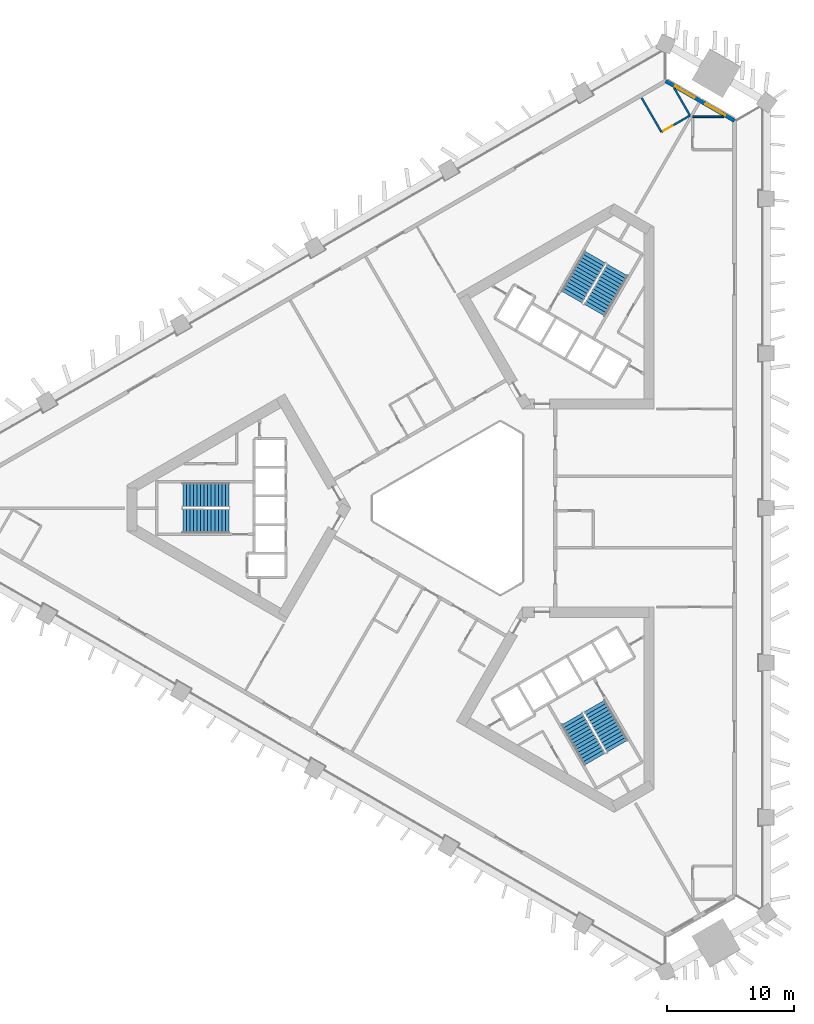
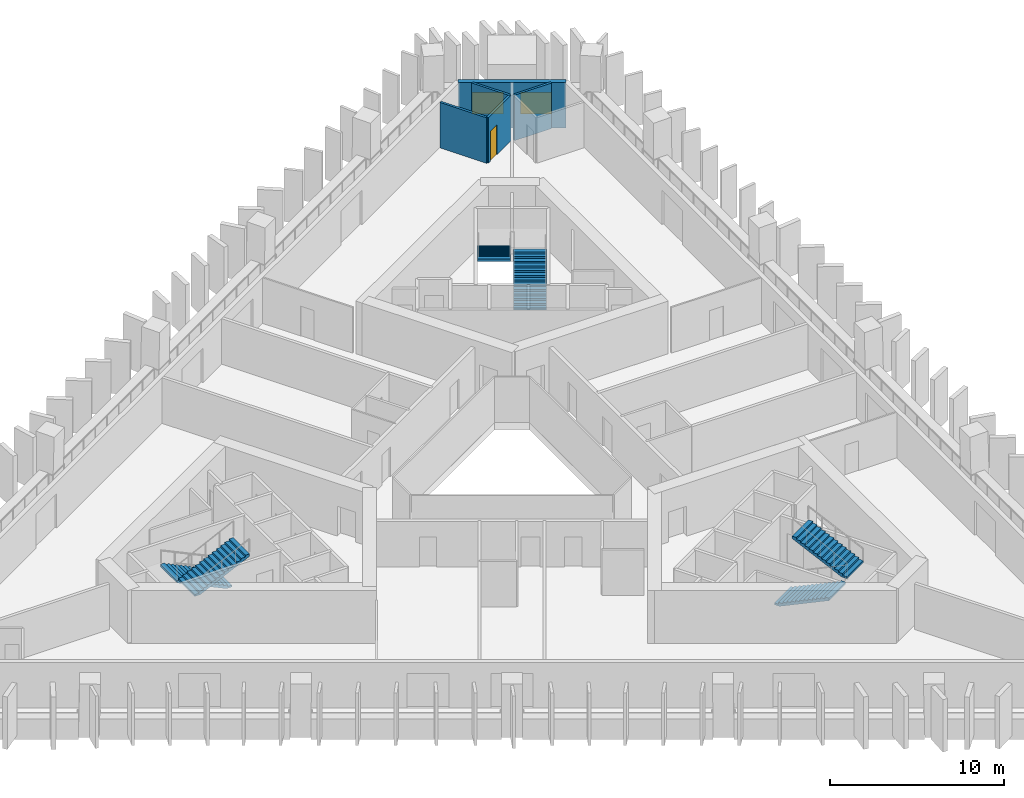
# One storey, part 6 of 10: 6 stair flights, 5 walls, 2 windows, 1 door, 3 openings, 3 elements without a shape of their own.
"""IFC4 building model written with IfcOpenShell, lengths in metres."""

import ifcopenshell
import ifcopenshell.guid

model = None  # the IFC model being written
_history = None  # IfcOwnerHistory: only IFC2X3 demands one
_inside = {}  # id of a spatial element -> (the spatial element, [elements in it])
_under = {}  # id of a project, library or spatial element -> (it, [spatial elements below it])
_declared = {}  # id of a project -> (the project, [libraries it declares])
_typed = {}  # id of a type object -> (the type object, [elements of that type])
_made_of = {}  # id of a material, layer set ... -> (it, [elements and type objects made of it])


def new_model(schema):
    """Start an empty IFC model of exactly this schema.

    Asked for "IFC4X3", IfcOpenShell would pick the latest addendum, in which some entities
    have other attributes; the version numbers below select the first issue.
    IFC2X3 requires an IfcOwnerHistory on every rooted entity: one is made here for all.
    """
    global model, _history
    if schema == "IFC4X3":
        model = ifcopenshell.file(schema_version=(4, 3, 0, 0))
    else:
        model = ifcopenshell.file(schema=schema)
    _inside.clear()
    _under.clear()
    _declared.clear()
    _typed.clear()
    _made_of.clear()
    _history = None
    if model.schema == "IFC2X3":
        org = make("IfcOrganization", Name="unknown")
        user = make(
            "IfcPersonAndOrganization",
            ThePerson=make("IfcPerson", FamilyName="unknown"),
            TheOrganization=org,
        )
        app = make(
            "IfcApplication",
            ApplicationDeveloper=org,
            Version="unknown",
            ApplicationFullName="unknown",
            ApplicationIdentifier="unknown",
        )
        _history = make(
            "IfcOwnerHistory",
            OwningUser=user,
            OwningApplication=app,
            ChangeAction="ADDED",
            CreationDate=0,
        )
    return model


def make(cls, **values):
    """One entity of the class cls with the attributes given. An attribute that is None is left unset."""
    return model.create_entity(
        cls, **{name: value for name, value in values.items() if value is not None}
    )


def rooted(cls, **values):
    """An entity with a GlobalId (a new one), such as an element, a storey or a relation."""
    return make(cls, GlobalId=ifcopenshell.guid.new(), OwnerHistory=_history, **values)


def si_unit(unit_type, name, prefix=None):
    """IfcSIUnit, for example si_unit("LENGTHUNIT", "METRE", prefix="MILLI")."""
    return make("IfcSIUnit", UnitType=unit_type, Prefix=prefix, Name=name)


def assignment(units):
    """IfcUnitAssignment: the units of a project."""
    return None if units is None else make("IfcUnitAssignment", Units=units)


def point(xyz):
    """IfcCartesianPoint."""
    return None if xyz is None else make("IfcCartesianPoint", Coordinates=xyz)


def direction(xyz):
    """IfcDirection."""
    return None if xyz is None else make("IfcDirection", DirectionRatios=xyz)


def frame(location, z_axis=None, x_axis=None):
    """IfcAxis2Placement3D, a coordinate frame: its origin and axes. An axis left out is left unset."""
    return make(
        "IfcAxis2Placement3D",
        Location=point(location),
        Axis=direction(z_axis),
        RefDirection=direction(x_axis),
    )


def frame_2d(location, x_axis=None):
    """IfcAxis2Placement2D, a coordinate frame in the plane: its origin and x axis."""
    return make(
        "IfcAxis2Placement2D", Location=point(location), RefDirection=direction(x_axis)
    )


def origin():
    """The frame at (0, 0, 0) with its axes left unset."""
    return frame((0.0, 0.0, 0.0))


def place(relative_to, where):
    """IfcLocalPlacement: puts the frame where relative to a parent placement (None: the world)."""
    return make(
        "IfcLocalPlacement", PlacementRelTo=relative_to, RelativePlacement=where
    )


def context(
    kind, dimensions, precision=None, world=None, true_north=None, identifier=None
):
    """IfcGeometricRepresentationContext, for example the 3D "Model" context."""
    return make(
        "IfcGeometricRepresentationContext",
        ContextIdentifier=identifier,
        ContextType=kind,
        CoordinateSpaceDimension=dimensions,
        Precision=precision,
        WorldCoordinateSystem=world,
        TrueNorth=true_north,
    )


def subcontext(parent, identifier, kind, view, scale=None):
    """IfcGeometricRepresentationSubContext, for example "Body" below "Model"."""
    return make(
        "IfcGeometricRepresentationSubContext",
        ContextIdentifier=identifier,
        ContextType=kind,
        ParentContext=parent,
        TargetScale=scale,
        TargetView=view,
    )


def project(units=None, contexts=None):
    """IfcProject with its units and contexts."""
    return rooted(
        "IfcProject",
        Name="project",
        RepresentationContexts=contexts,
        UnitsInContext=assignment(units),
    )


def spatial(cls, under=None, at=None, **own):
    """A site, building, storey or space (cls), placed at a placement, below another one or the project."""
    s = rooted(cls, ObjectPlacement=at, **own)
    if under is not None:
        _under.setdefault(under.id(), (under, []))[1].append(s)
    return s


def polyline(points):
    """IfcPolyline through the points."""
    return make("IfcPolyline", Points=[point(p) for p in points])


def profile(cls, at=None, kind="AREA", **sizes):
    """A parametric profile (cls). Its sizes go by their IFC names, for example OverallWidth=200.0."""
    return make(cls, ProfileType=kind, Position=at, **sizes)


def rectangle(**sizes):
    """IfcRectangleProfileDef."""
    return profile("IfcRectangleProfileDef", **sizes)


def outline(outer, holes=None, kind="AREA"):
    """IfcArbitraryClosedProfileDef: a profile drawn as a closed curve; with holes, ...WithVoids."""
    if holes is None:
        return make("IfcArbitraryClosedProfileDef", ProfileType=kind, OuterCurve=outer)
    return make(
        "IfcArbitraryProfileDefWithVoids",
        ProfileType=kind,
        OuterCurve=outer,
        InnerCurves=holes,
    )


def extrude(swept, where, along, depth):
    """IfcExtrudedAreaSolid: the profile swept, set in the frame where, extruded along a direction by depth."""
    return make(
        "IfcExtrudedAreaSolid",
        SweptArea=swept,
        Position=where,
        ExtrudedDirection=direction(along),
        Depth=depth,
    )


def shape(context_of_items, identifier, shape_type, items):
    """IfcShapeRepresentation: the items that make up one representation, for example the "Body"."""
    return make(
        "IfcShapeRepresentation",
        ContextOfItems=context_of_items,
        RepresentationIdentifier=identifier,
        RepresentationType=shape_type,
        Items=items,
    )


def material(Name=None, Category=None):
    """IfcMaterial."""
    return make("IfcMaterial", Name=Name, Category=Category)


def layer(
    of_material, thickness, ventilated=None, Name=None, Category=None, Priority=None
):
    """IfcMaterialLayer: one layer of a wall or slab, of a material (None: an air gap)."""
    return make(
        "IfcMaterialLayer",
        Material=of_material,
        LayerThickness=thickness,
        IsVentilated=ventilated,
        Name=Name,
        Category=Category,
        Priority=Priority,
    )


def layer_set(layers, Name=None):
    """IfcMaterialLayerSet."""
    return make("IfcMaterialLayerSet", MaterialLayers=layers, LayerSetName=Name)


def made_of(thing, what):
    """Note that an element or type object is made of a material, layer set ...; save() writes the relation."""
    if what is not None:
        _made_of.setdefault(what.id(), (what, []))[1].append(thing)
    return thing


def type_object(cls, material=None, **own):
    """A type object (cls), such as IfcWallType, which elements share."""
    return made_of(rooted(cls, **own), material)


def element(
    cls,
    number,
    at=None,
    inside=None,
    cuts=None,
    type_object=None,
    material=None,
    context=None,
    identifier="Body",
    shape_type=None,
    held_by="IfcProductDefinitionShape",
    body=None,
    shapes=None,
    **own,
):
    """One element of the class cls, such as IfcWall. Its Tag is "e" and its number.

    at: its placement. inside: the storey or other place that contains it. cuts: it is an
    opening in that element (IfcRelVoidsElement). A single representation is given by context,
    identifier, shape_type and body (its items); several are given by shapes. held_by: the class
    of the entity that holds the representations. save() writes the other relations.
    """
    e = rooted(cls, Tag="e%d" % number, ObjectPlacement=at, **own)
    if body is not None:
        shapes = [shape(context, identifier, shape_type, body)]
    if shapes is not None:
        e.Representation = make(held_by, Representations=shapes)
    if inside is not None:
        _inside.setdefault(inside.id(), (inside, []))[1].append(e)
    if cuts is not None:
        rooted(
            "IfcRelVoidsElement", RelatingBuildingElement=cuts, RelatedOpeningElement=e
        )
    if type_object is not None:
        _typed.setdefault(type_object.id(), (type_object, []))[1].append(e)
    return made_of(e, material)


def fill(opening, filler):
    """IfcRelFillsElement: the door or window that sits in an opening."""
    return rooted(
        "IfcRelFillsElement",
        RelatingOpeningElement=opening,
        RelatedBuildingElement=filler,
    )


def aggregate(whole, parts):
    """IfcRelAggregates: a whole, such as a stair, and the parts it consists of."""
    return rooted("IfcRelAggregates", RelatingObject=whole, RelatedObjects=parts)


def save(model, path):
    """Write the relations noted so far, then the file.

    IfcRelAggregates (storeys below a building ...), IfcRelContainedInSpatialStructure (elements
    in a storey), IfcRelDefinesByType, IfcRelAssociatesMaterial and IfcRelDeclares: one each for
    every whole, place, type object, material and project.
    """
    for whole, parts in _under.values():
        aggregate(whole, parts)
    for where, things in _inside.values():
        rooted(
            "IfcRelContainedInSpatialStructure",
            RelatedElements=things,
            RelatingStructure=where,
        )
    for kind, things in _typed.values():
        rooted("IfcRelDefinesByType", RelatedObjects=things, RelatingType=kind)
    for what, things in _made_of.values():
        rooted("IfcRelAssociatesMaterial", RelatedObjects=things, RelatingMaterial=what)
    for by, libraries in _declared.values():
        rooted("IfcRelDeclares", RelatingContext=by, RelatedDefinitions=libraries)
    model.write(path)


model = new_model("IFC4")

# Units and contexts
model_context = context("Model", 3, precision=1e-05, world=origin(), true_north=direction((0.0, 1.0)))
body_context = subcontext(model_context, "Body", "Model", "MODEL_VIEW")
ifc_project = project(units=[si_unit("LENGTHUNIT", "METRE"), si_unit("AREAUNIT", "SQUARE_METRE"), si_unit("VOLUMEUNIT", "CUBIC_METRE"), si_unit("PLANEANGLEUNIT", "RADIAN"), si_unit("MASSUNIT", "GRAM", prefix="KILO")], contexts=[model_context])

# Site, building, storey
site_placement = place(None, origin())
site = spatial("IfcSite", under=ifc_project, at=site_placement, CompositionType="ELEMENT")
building_placement = place(site_placement, origin())
building = spatial("IfcBuilding", under=site, at=building_placement, Name="Jabali Bay Hotel Tower and Convention Centre", CompositionType="ELEMENT")
storey_placement = place(building_placement, frame((0.0, 0.0, 44.800048828125)))
storey = spatial("IfcBuildingStorey", under=building, at=storey_placement, Name="L09", CompositionType="ELEMENT", Elevation=44.800048828125)

# Wall, openings, windows
ifc_material_1 = material(Name="Concrete C40", Category="concrete")
ifc_layer_1 = layer(ifc_material_1, 0.300048828125)
ifc_layer_set_1 = layer_set([ifc_layer_1], Name="Concrete C40")
wall_type_1 = type_object("IfcWallType", Name="External wall 300", PredefinedType="SOLIDWALL", material=ifc_layer_set_1)
wall_1_placement = place(storey_placement, frame((90.79833984375, 113.602294921875, 0.0), z_axis=(0.0, 0.0, 1.0), x_axis=(0.86602136159, -0.500007001221, 0.0)))
wall_1 = element("IfcWall", 1, at=wall_1_placement, inside=storey, type_object=wall_type_1, Name="External wall north-east chamfer L09", PredefinedType="SOLIDWALL", context=body_context, shape_type="SweptSolid", body=[
    extrude(rectangle(XDim=6.23876953125, YDim=0.300048828125, at=frame_2d((3.119384765625, 0.0))), origin(), (0.0, 0.0, 1.0), 3.199951171875),
])
opening_1_placement = place(wall_1_placement, frame((3.59814453125, 0.0, 0.89990234375)))
opening_1 = element("IfcOpeningElement", 2, at=opening_1_placement, cuts=wall_1, Name="Opening W1", PredefinedType="OPENING", context=body_context, shape_type="SweptSolid", body=[
    extrude(rectangle(XDim=1.800048828125, YDim=1.5, at=frame_2d((0.89990234375, 0.75))), frame((0.0, 0.16064453125, 0.0), z_axis=(0.0, -1.0, 0.0), x_axis=(1.0, 0.0, 0.0)), (0.0, 0.0, 1.0), 0.321044921875),
])
opening_2_placement = place(wall_1_placement, frame((0.818603515625, 0.0, 0.89990234375)))
opening_2 = element("IfcOpeningElement", 3, at=opening_2_placement, cuts=wall_1, Name="Opening W1", PredefinedType="OPENING", context=body_context, shape_type="SweptSolid", body=[
    extrude(rectangle(XDim=1.800048828125, YDim=1.5, at=frame_2d((0.89990234375, 0.75))), frame((0.0, 0.16064453125, 0.0), z_axis=(0.0, -1.0, 0.0), x_axis=(1.0, 0.0, 0.0)), (0.0, 0.0, 1.0), 0.321044921875),
])
ifc_material_2 = material(Name="Glass", Category="glass")
window_type = type_object("IfcWindowType", Name="Window 1800 x 1500", PartitioningType="SINGLE_PANEL", PredefinedType="WINDOW", material=ifc_material_2)
window_1_placement = place(opening_1_placement, origin())
window_1 = element("IfcWindow", 4, at=window_1_placement, inside=storey, type_object=window_type, Name="Window 903", OverallHeight=1.5, OverallWidth=1.800048828125, PartitioningType="SINGLE_PANEL", PredefinedType="WINDOW", context=body_context, shape_type="SweptSolid", body=[
    extrude(rectangle(XDim=1.800048828125, YDim=1.5, at=frame_2d((0.89990234375, 0.75))), frame((0.0, 0.030029296875, 0.0), z_axis=(0.0, -1.0, 0.0), x_axis=(1.0, 0.0, 0.0)), (0.0, 0.0, 1.0), 0.06005859375),
])
fill(opening_1, window_1)
window_2_placement = place(opening_2_placement, origin())
window_2 = element("IfcWindow", 5, at=window_2_placement, inside=storey, type_object=window_type, Name="Window 904", OverallHeight=1.5, OverallWidth=1.800048828125, PartitioningType="SINGLE_PANEL", PredefinedType="WINDOW", context=body_context, shape_type="SweptSolid", body=[
    extrude(rectangle(XDim=1.800048828125, YDim=1.5, at=frame_2d((0.89990234375, 0.75))), frame((0.0, 0.030029296875, 0.0), z_axis=(0.0, -1.0, 0.0), x_axis=(1.0, 0.0, 0.0)), (0.0, 0.0, 1.0), 0.06005859375),
])
fill(opening_2, window_2)

# Walls
ifc_material_3 = material(Name="Plasterboard on steel stud", Category="steel")
ifc_layer_2 = layer(ifc_material_3, 0.14990234375)
ifc_layer_set_2 = layer_set([ifc_layer_2], Name="Plasterboard on steel stud")
wall_type_2 = type_object("IfcWallType", Name="Partition 150 wet", PredefinedType="PARTITIONING", material=ifc_layer_set_2)
wall_2_placement = place(storey_placement, frame((92.901611328125, 110.794189453125, 0.0), z_axis=(0.0, 0.0, 1.0), x_axis=(1.0, 0.0, 0.0)))
element("IfcWall", 6, at=wall_2_placement, inside=storey, type_object=wall_type_2, Name="Partition P03 L09 014", PredefinedType="PARTITIONING", context=body_context, shape_type="SweptSolid", body=[
    extrude(rectangle(XDim=2.462158203125, YDim=0.14990234375, at=frame_2d((1.23095703125, 0.0))), origin(), (0.0, 0.0, 1.0), 3.199951171875),
])
wall_3_placement = place(storey_placement, frame((91.448974609375, 113.054443359375, 0.0), z_axis=(0.0, 0.0, 1.0), x_axis=(0.500004234368, -0.866022959057, 0.0)))
element("IfcWall", 7, at=wall_3_placement, inside=storey, type_object=wall_type_2, Name="Partition P03 L09 018", PredefinedType="PARTITIONING", context=body_context, shape_type="SweptSolid", body=[
    extrude(rectangle(XDim=2.5, YDim=0.14990234375, at=frame_2d((1.25, 0.0))), origin(), (0.0, 0.0, 1.0), 3.199951171875),
])

# Wall, opening, door
wall_4_placement = place(storey_placement, frame((92.698974609375, 110.889404296875, 0.0), z_axis=(0.0, 0.0, 1.0), x_axis=(-0.866021400173, -0.500006934395, 0.0)))
wall_4 = element("IfcWall", 8, at=wall_4_placement, inside=storey, type_object=wall_type_2, Name="Partition P03 L09 019", PredefinedType="PARTITIONING", context=body_context, shape_type="SweptSolid", body=[
    extrude(rectangle(XDim=2.60009765625, YDim=0.14990234375, at=frame_2d((1.300048828125, 0.0))), origin(), (0.0, 0.0, 1.0), 3.199951171875),
])
opening_3_placement = place(wall_4_placement, frame((1.60009765625, 0.0, 0.0)))
opening_3 = element("IfcOpeningElement", 9, at=opening_3_placement, cuts=wall_4, Name="Opening 0911", PredefinedType="OPENING", context=body_context, shape_type="SweptSolid", body=[
    extrude(rectangle(XDim=0.800048828125, YDim=2.10009765625, at=frame_2d((0.39990234375, 1.050048828125))), frame((0.0, 0.08544921875, 0.0), z_axis=(0.0, -1.0, 0.0), x_axis=(1.0, 0.0, 0.0)), (0.0, 0.0, 1.0), 0.1708984375),
])
ifc_material_4 = material(Name="Timber", Category="wood")
door_type = type_object("IfcDoorType", Name="En-suite door 800 x 2100", OperationType="NOTDEFINED", PredefinedType="NOTDEFINED", material=ifc_material_4)
door_placement = place(opening_3_placement, origin())
door = element("IfcDoor", 10, at=door_placement, inside=storey, type_object=door_type, Name="Door 0911", OperationType="SINGLE_SWING_RIGHT", OverallHeight=2.10009765625, OverallWidth=0.800048828125, PredefinedType="NOTDEFINED", context=body_context, shape_type="SweptSolid", body=[
    extrude(rectangle(XDim=0.800048828125, YDim=2.10009765625, at=frame_2d((0.39990234375, 1.050048828125))), frame((0.0, 0.02490234375, 0.0), z_axis=(0.0, -1.0, 0.0), x_axis=(1.0, 0.0, 0.0)), (0.0, 0.0, 1.0), 0.050048828125),
])
fill(opening_3, door)

# Wall
wall_5_placement = place(storey_placement, frame((90.447265625, 109.58935546875, 0.0), z_axis=(0.0, 0.0, 1.0), x_axis=(-0.500014671848, 0.866016932823, 0.0)))
element("IfcWall", 11, at=wall_5_placement, inside=storey, type_object=wall_type_2, Name="Partition P03 L09 020", PredefinedType="PARTITIONING", context=body_context, shape_type="SweptSolid", body=[
    extrude(rectangle(XDim=3.10986328125, YDim=0.14990234375, at=frame_2d((1.554931640625, 0.0))), origin(), (0.0, 0.0, 1.0), 3.199951171875),
])

# Stair, stair flights
stair_type = type_object("IfcStairType", Name="Exit stair 1900", PredefinedType="HALF_TURN_STAIR", material=ifc_material_1)
stair_1_placement = place(storey_placement, origin())
stair_1 = element("IfcStair", 12, at=stair_1_placement, inside=storey, type_object=stair_type, Name="L09 Exit Stair 1", PredefinedType="HALF_TURN_STAIR")
stair_flight_type = type_object("IfcStairFlightType", Name="Stair flight concrete 150", PredefinedType="STRAIGHT", material=ifc_material_1)
stair_flight_1_placement = place(storey_placement, frame((56.419921875, 81.02490234375, 0.0), z_axis=(0.0, 0.0, 1.0), x_axis=(-1.0, 0.0, 0.0)))
stair_flight_1 = element("IfcStairFlight", 13, at=stair_flight_1_placement, type_object=stair_flight_type, Name="ST1 flight 1", NumberOfRisers=14, NumberOfTreads=13, PredefinedType="STRAIGHT", RiserHeight=0.132142857, TreadLength=0.28, context=body_context, shape_type="SweptSolid", body=[
    extrude(outline(polyline([(0.0, 0.0), (0.0, 0.132080078125), (0.280029296875, 0.132080078125), (0.280029296875, 0.264404296875), (0.56005859375, 0.264404296875), (0.56005859375, 0.396484375), (0.840087890625, 0.396484375), (0.840087890625, 0.528564453125), (1.1201171875, 0.528564453125), (1.1201171875, 0.66064453125), (1.39990234375, 0.66064453125), (1.39990234375, 0.79296875), (1.679931640625, 0.79296875), (1.679931640625, 0.925048828125), (1.9599609375, 0.925048828125), (1.9599609375, 1.05712890625), (2.239990234375, 1.05712890625), (2.239990234375, 1.189208984375), (2.52001953125, 1.189208984375), (2.52001953125, 1.321533203125), (2.800048828125, 1.321533203125), (2.800048828125, 1.45361328125), (3.080078125, 1.45361328125), (3.080078125, 1.585693359375), (3.360107421875, 1.585693359375), (3.360107421875, 1.7177734375), (3.639892578125, 1.7177734375), (3.639892578125, 1.85009765625), (3.639892578125, 1.552001953125), (0.351318359375, 0.0), (0.0, 0.0)])), frame((0.0, 0.949951171875, 0.0), z_axis=(0.0, -1.0, 0.0), x_axis=(1.0, 0.0, 0.0)), (0.0, 0.0, 1.0), 1.89990234375),
])
stair_flight_2_placement = place(storey_placement, frame((52.780029296875, 78.97509765625, 1.849853515625), z_axis=(0.0, 0.0, 1.0), x_axis=(1.0, 0.0, 0.0)))
stair_flight_2 = element("IfcStairFlight", 14, at=stair_flight_2_placement, type_object=stair_flight_type, Name="ST1 flight 2", NumberOfRisers=14, NumberOfTreads=13, PredefinedType="STRAIGHT", RiserHeight=0.132142857, TreadLength=0.28, context=body_context, shape_type="SweptSolid", body=[
    extrude(outline(polyline([(0.0, 0.0), (0.0, 0.132080078125), (0.280029296875, 0.132080078125), (0.280029296875, 0.264404296875), (0.56005859375, 0.264404296875), (0.56005859375, 0.396484375), (0.840087890625, 0.396484375), (0.840087890625, 0.528564453125), (1.1201171875, 0.528564453125), (1.1201171875, 0.66064453125), (1.39990234375, 0.66064453125), (1.39990234375, 0.79296875), (1.679931640625, 0.79296875), (1.679931640625, 0.925048828125), (1.9599609375, 0.925048828125), (1.9599609375, 1.05712890625), (2.239990234375, 1.05712890625), (2.239990234375, 1.189208984375), (2.52001953125, 1.189208984375), (2.52001953125, 1.321533203125), (2.800048828125, 1.321533203125), (2.800048828125, 1.45361328125), (3.080078125, 1.45361328125), (3.080078125, 1.585693359375), (3.360107421875, 1.585693359375), (3.360107421875, 1.7177734375), (3.639892578125, 1.7177734375), (3.639892578125, 1.85009765625), (3.639892578125, 1.552001953125), (0.351318359375, 0.0), (0.0, 0.0)])), frame((0.0, 0.949951171875, 0.0), z_axis=(0.0, -1.0, 0.0), x_axis=(1.0, 0.0, 0.0)), (0.0, 0.0, 1.0), 1.89990234375),
])
aggregate(stair_1, [stair_flight_1, stair_flight_2])

stair_2_placement = place(storey_placement, origin())
stair_2 = element("IfcStair", 15, at=stair_2_placement, inside=storey, type_object=stair_type, Name="L09 Exit Stair 2", PredefinedType="HALF_TURN_STAIR")
stair_flight_3_placement = place(storey_placement, frame((85.177734375, 95.578369140625, 0.0), z_axis=(0.0, 0.0, 1.0), x_axis=(0.5, 0.866025403784, 0.0)))
stair_flight_3 = element("IfcStairFlight", 16, at=stair_flight_3_placement, type_object=stair_flight_type, Name="ST2 flight 1", NumberOfRisers=14, NumberOfTreads=13, PredefinedType="STRAIGHT", RiserHeight=0.132142857, TreadLength=0.28, context=body_context, shape_type="SweptSolid", body=[
    extrude(outline(polyline([(0.0, 0.0), (0.0, 0.132080078125), (0.280029296875, 0.132080078125), (0.280029296875, 0.264404296875), (0.56005859375, 0.264404296875), (0.56005859375, 0.396484375), (0.840087890625, 0.396484375), (0.840087890625, 0.528564453125), (1.1201171875, 0.528564453125), (1.1201171875, 0.66064453125), (1.39990234375, 0.66064453125), (1.39990234375, 0.79296875), (1.679931640625, 0.79296875), (1.679931640625, 0.925048828125), (1.9599609375, 0.925048828125), (1.9599609375, 1.05712890625), (2.239990234375, 1.05712890625), (2.239990234375, 1.189208984375), (2.52001953125, 1.189208984375), (2.52001953125, 1.321533203125), (2.800048828125, 1.321533203125), (2.800048828125, 1.45361328125), (3.080078125, 1.45361328125), (3.080078125, 1.585693359375), (3.360107421875, 1.585693359375), (3.360107421875, 1.7177734375), (3.639892578125, 1.7177734375), (3.639892578125, 1.85009765625), (3.639892578125, 1.552001953125), (0.351318359375, 0.0), (0.0, 0.0)])), frame((0.0, 0.949951171875, 0.0), z_axis=(0.0, -1.0, 0.0), x_axis=(1.0, 0.0, 0.0)), (0.0, 0.0, 1.0), 1.89990234375),
])
stair_flight_4_placement = place(storey_placement, frame((85.222412109375, 99.755615234375, 1.849853515625), z_axis=(0.0, 0.0, 1.0), x_axis=(-0.5, -0.866025403784, 0.0)))
stair_flight_4 = element("IfcStairFlight", 17, at=stair_flight_4_placement, type_object=stair_flight_type, Name="ST2 flight 2", NumberOfRisers=14, NumberOfTreads=13, PredefinedType="STRAIGHT", RiserHeight=0.132142857, TreadLength=0.28, context=body_context, shape_type="SweptSolid", body=[
    extrude(outline(polyline([(0.0, 0.0), (0.0, 0.132080078125), (0.280029296875, 0.132080078125), (0.280029296875, 0.264404296875), (0.56005859375, 0.264404296875), (0.56005859375, 0.396484375), (0.840087890625, 0.396484375), (0.840087890625, 0.528564453125), (1.1201171875, 0.528564453125), (1.1201171875, 0.66064453125), (1.39990234375, 0.66064453125), (1.39990234375, 0.79296875), (1.679931640625, 0.79296875), (1.679931640625, 0.925048828125), (1.9599609375, 0.925048828125), (1.9599609375, 1.05712890625), (2.239990234375, 1.05712890625), (2.239990234375, 1.189208984375), (2.52001953125, 1.189208984375), (2.52001953125, 1.321533203125), (2.800048828125, 1.321533203125), (2.800048828125, 1.45361328125), (3.080078125, 1.45361328125), (3.080078125, 1.585693359375), (3.360107421875, 1.585693359375), (3.360107421875, 1.7177734375), (3.639892578125, 1.7177734375), (3.639892578125, 1.85009765625), (3.639892578125, 1.552001953125), (0.351318359375, 0.0), (0.0, 0.0)])), frame((0.0, 0.949951171875, 0.0), z_axis=(0.0, -1.0, 0.0), x_axis=(1.0, 0.0, 0.0)), (0.0, 0.0, 1.0), 1.89990234375),
])
aggregate(stair_2, [stair_flight_3, stair_flight_4])

stair_3_placement = place(storey_placement, origin())
stair_3 = element("IfcStair", 18, at=stair_3_placement, inside=storey, type_object=stair_type, Name="L09 Exit Stair 3", PredefinedType="HALF_TURN_STAIR")
stair_flight_5_placement = place(storey_placement, frame((83.40234375, 63.396728515625, 0.0), z_axis=(0.0, 0.0, 1.0), x_axis=(0.5, -0.866025403784, 0.0)))
stair_flight_5 = element("IfcStairFlight", 19, at=stair_flight_5_placement, type_object=stair_flight_type, Name="ST3 flight 1", NumberOfRisers=14, NumberOfTreads=13, PredefinedType="STRAIGHT", RiserHeight=0.132142857, TreadLength=0.28, context=body_context, shape_type="SweptSolid", body=[
    extrude(outline(polyline([(0.0, 0.0), (0.0, 0.132080078125), (0.280029296875, 0.132080078125), (0.280029296875, 0.264404296875), (0.56005859375, 0.264404296875), (0.56005859375, 0.396484375), (0.840087890625, 0.396484375), (0.840087890625, 0.528564453125), (1.1201171875, 0.528564453125), (1.1201171875, 0.66064453125), (1.39990234375, 0.66064453125), (1.39990234375, 0.79296875), (1.679931640625, 0.79296875), (1.679931640625, 0.925048828125), (1.9599609375, 0.925048828125), (1.9599609375, 1.05712890625), (2.239990234375, 1.05712890625), (2.239990234375, 1.189208984375), (2.52001953125, 1.189208984375), (2.52001953125, 1.321533203125), (2.800048828125, 1.321533203125), (2.800048828125, 1.45361328125), (3.080078125, 1.45361328125), (3.080078125, 1.585693359375), (3.360107421875, 1.585693359375), (3.360107421875, 1.7177734375), (3.639892578125, 1.7177734375), (3.639892578125, 1.85009765625), (3.639892578125, 1.552001953125), (0.351318359375, 0.0), (0.0, 0.0)])), frame((0.0, 0.949951171875, 0.0), z_axis=(0.0, -1.0, 0.0), x_axis=(1.0, 0.0, 0.0)), (0.0, 0.0, 1.0), 1.89990234375),
])
stair_flight_6_placement = place(storey_placement, frame((86.99755859375, 61.26953125, 1.849853515625), z_axis=(0.0, 0.0, 1.0), x_axis=(-0.5, 0.866025403784, 0.0)))
stair_flight_6 = element("IfcStairFlight", 20, at=stair_flight_6_placement, type_object=stair_flight_type, Name="ST3 flight 2", NumberOfRisers=14, NumberOfTreads=13, PredefinedType="STRAIGHT", RiserHeight=0.132142857, TreadLength=0.28, context=body_context, shape_type="SweptSolid", body=[
    extrude(outline(polyline([(0.0, 0.0), (0.0, 0.132080078125), (0.280029296875, 0.132080078125), (0.280029296875, 0.264404296875), (0.56005859375, 0.264404296875), (0.56005859375, 0.396484375), (0.840087890625, 0.396484375), (0.840087890625, 0.528564453125), (1.1201171875, 0.528564453125), (1.1201171875, 0.66064453125), (1.39990234375, 0.66064453125), (1.39990234375, 0.79296875), (1.679931640625, 0.79296875), (1.679931640625, 0.925048828125), (1.9599609375, 0.925048828125), (1.9599609375, 1.05712890625), (2.239990234375, 1.05712890625), (2.239990234375, 1.189208984375), (2.52001953125, 1.189208984375), (2.52001953125, 1.321533203125), (2.800048828125, 1.321533203125), (2.800048828125, 1.45361328125), (3.080078125, 1.45361328125), (3.080078125, 1.585693359375), (3.360107421875, 1.585693359375), (3.360107421875, 1.7177734375), (3.639892578125, 1.7177734375), (3.639892578125, 1.85009765625), (3.639892578125, 1.552001953125), (0.351318359375, 0.0), (0.0, 0.0)])), frame((0.0, 0.949951171875, 0.0), z_axis=(0.0, -1.0, 0.0), x_axis=(1.0, 0.0, 0.0)), (0.0, 0.0, 1.0), 1.89990234375),
])
aggregate(stair_3, [stair_flight_5, stair_flight_6])

save(model, "model.ifc")
